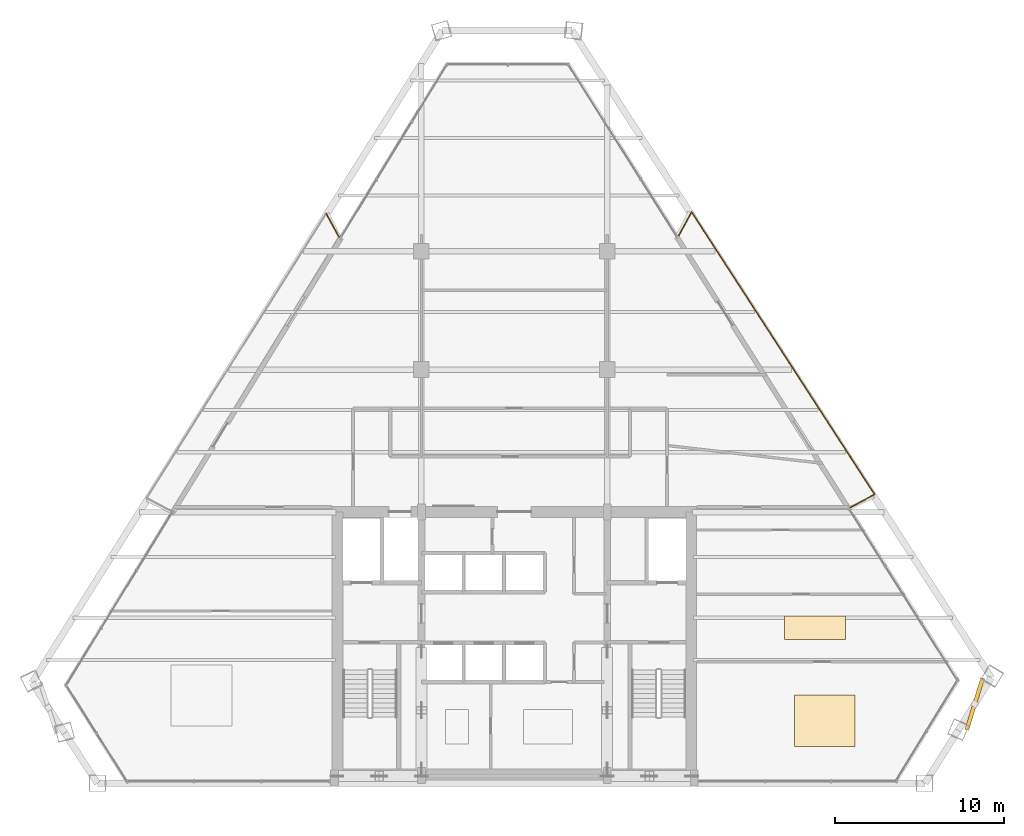
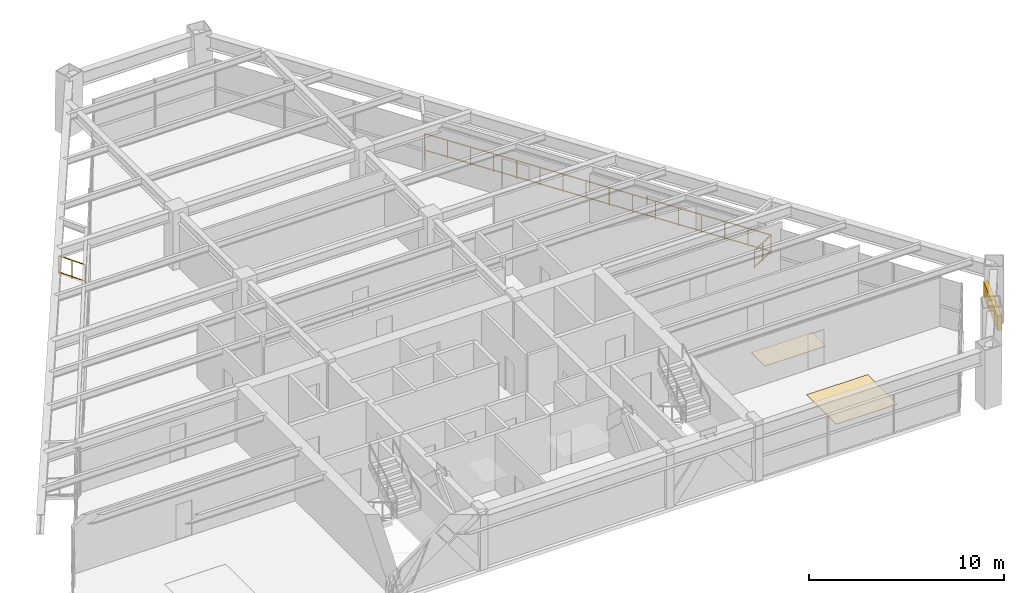
# One storey, part 15 of 15: 4 railings, 2 coverings, 1 shading device.
"""IFC4 building model written with IfcOpenShell, lengths in metres."""

from ifc_helpers import new_model, si_unit, direction, frame, origin, origin_2d, place, context, subcontext, project, spatial, rectangle, extrude, source, transform, mapped, material, layer, layer_set, type_object, type_shapes, element, save


model = new_model("IFC4")

# Units and contexts
model_context = context("Model", 3, precision=1e-05, world=origin(), true_north=direction((0.0, 1.0)))
body_context = subcontext(model_context, "Body", "Model", "MODEL_VIEW")
ifc_project = project(units=[si_unit("LENGTHUNIT", "METRE"), si_unit("AREAUNIT", "SQUARE_METRE"), si_unit("VOLUMEUNIT", "CUBIC_METRE"), si_unit("PLANEANGLEUNIT", "RADIAN"), si_unit("MASSUNIT", "GRAM", prefix="KILO")], contexts=[model_context])

# Site, building, storey
site_placement = place(None, origin())
site = spatial("IfcSite", under=ifc_project, at=site_placement, CompositionType="ELEMENT")
building_placement = place(site_placement, origin())
building = spatial("IfcBuilding", under=site, at=building_placement, Name="Varnakhor Terracotta Tower", CompositionType="ELEMENT")
storey_placement = place(building_placement, frame((0.0, 0.0, 196.89990234375)))
storey = spatial("IfcBuildingStorey", under=building, at=storey_placement, Name="L50", CompositionType="ELEMENT", Elevation=196.89990234375)

# Railings
ifc_material_1 = material(Name="Stainless Steel & Laminated Glass Guardrail", Category="steel")
railing_type = type_object("IfcRailingType", Name="RLG-LOGGIA-GUARD-1150", PredefinedType="GUARDRAIL", material=ifc_material_1)
railing_1_placement = place(storey_placement, frame((9.738525390625, 32.4326171875, 0.0)))
element("IfcRailing", 1, at=railing_1_placement, inside=storey, type_object=railing_type, Name="L50 E Loggia Glass Guard 1", PredefinedType="GUARDRAIL", context=body_context, shape_type="SweptSolid", body=[
    extrude(rectangle(XDim=0.048095703125, YDim=0.048095703125, at=origin_2d()), frame((0.0, 0.0, 1.1259765625), z_axis=(0.481039738759, 0.876698790768, 0.0), x_axis=(-0.876698790768, 0.481039738759, 0.0)), (0.0, 0.0, 1.0), 1.578369140625),
    extrude(rectangle(XDim=0.048095703125, YDim=0.048095703125, at=origin_2d()), frame((0.0, 0.0, 0.10009765625), z_axis=(0.481039738759, 0.876698790768, 0.0), x_axis=(-0.876698790768, 0.481039738759, 0.0)), (0.0, 0.0, 1.0), 1.578369140625),
    extrude(rectangle(XDim=0.0419921875, YDim=0.0419921875, at=origin_2d()), origin(), (0.0, 0.0, 1.0), 1.101806640625),
    extrude(rectangle(XDim=0.0419921875, YDim=0.0419921875, at=origin_2d()), frame((0.379638671875, 0.69189453125, 0.0)), (0.0, 0.0, 1.0), 1.101806640625),
    extrude(rectangle(XDim=0.0419921875, YDim=0.0419921875, at=origin_2d()), frame((0.75927734375, 1.3837890625, 0.0)), (0.0, 0.0, 1.0), 1.101806640625),
])
railing_2_placement = place(storey_placement, frame((10.497802734375, 33.81640625, 0.0)))
element("IfcRailing", 2, at=railing_2_placement, inside=storey, type_object=railing_type, Name="L50 E Loggia Glass Guard 2", PredefinedType="GUARDRAIL", context=body_context, shape_type="SweptSolid", body=[
    extrude(rectangle(XDim=0.048095703125, YDim=0.048095703125, at=origin_2d()), frame((0.0, 0.0, 1.1259765625), z_axis=(0.544143531264, -0.838992143815, 0.0), x_axis=(0.838992143815, 0.544143531264, 0.0)), (0.0, 0.0, 1.0), 19.91552734375),
    extrude(rectangle(XDim=0.048095703125, YDim=0.048095703125, at=origin_2d()), frame((0.0, 0.0, 0.10009765625), z_axis=(0.544143531264, -0.838992143815, 0.0), x_axis=(0.838992143815, 0.544143531264, 0.0)), (0.0, 0.0, 1.0), 19.91552734375),
    extrude(rectangle(XDim=0.0419921875, YDim=0.0419921875, at=origin_2d()), origin(), (0.0, 0.0, 1.0), 1.101806640625),
    extrude(rectangle(XDim=0.0419921875, YDim=0.0419921875, at=origin_2d()), frame((0.722412109375, -1.114013671875, 0.0)), (0.0, 0.0, 1.0), 1.101806640625),
    extrude(rectangle(XDim=0.0419921875, YDim=0.0419921875, at=origin_2d()), frame((1.44482421875, -2.227783203125, 0.0)), (0.0, 0.0, 1.0), 1.101806640625),
    extrude(rectangle(XDim=0.0419921875, YDim=0.0419921875, at=origin_2d()), frame((2.16748046875, -3.341796875, 0.0)), (0.0, 0.0, 1.0), 1.101806640625),
    extrude(rectangle(XDim=0.0419921875, YDim=0.0419921875, at=origin_2d()), frame((2.889892578125, -4.455810546875, 0.0)), (0.0, 0.0, 1.0), 1.101806640625),
    extrude(rectangle(XDim=0.0419921875, YDim=0.0419921875, at=origin_2d()), frame((3.6123046875, -5.569580078125, 0.0)), (0.0, 0.0, 1.0), 1.101806640625),
    extrude(rectangle(XDim=0.0419921875, YDim=0.0419921875, at=origin_2d()), frame((4.334716796875, -6.68359375, 0.0)), (0.0, 0.0, 1.0), 1.101806640625),
    extrude(rectangle(XDim=0.0419921875, YDim=0.0419921875, at=origin_2d()), frame((5.05712890625, -7.797607421875, 0.0)), (0.0, 0.0, 1.0), 1.101806640625),
    extrude(rectangle(XDim=0.0419921875, YDim=0.0419921875, at=origin_2d()), frame((5.77978515625, -8.911376953125, 0.0)), (0.0, 0.0, 1.0), 1.101806640625),
    extrude(rectangle(XDim=0.0419921875, YDim=0.0419921875, at=origin_2d()), frame((6.502197265625, -10.025390625, 0.0)), (0.0, 0.0, 1.0), 1.101806640625),
    extrude(rectangle(XDim=0.0419921875, YDim=0.0419921875, at=origin_2d()), frame((7.224609375, -11.139404296875, 0.0)), (0.0, 0.0, 1.0), 1.101806640625),
    extrude(rectangle(XDim=0.0419921875, YDim=0.0419921875, at=origin_2d()), frame((7.947021484375, -12.253173828125, 0.0)), (0.0, 0.0, 1.0), 1.101806640625),
    extrude(rectangle(XDim=0.0419921875, YDim=0.0419921875, at=origin_2d()), frame((8.66943359375, -13.3671875, 0.0)), (0.0, 0.0, 1.0), 1.101806640625),
    extrude(rectangle(XDim=0.0419921875, YDim=0.0419921875, at=origin_2d()), frame((9.39208984375, -14.481201171875, 0.0)), (0.0, 0.0, 1.0), 1.101806640625),
    extrude(rectangle(XDim=0.0419921875, YDim=0.0419921875, at=origin_2d()), frame((10.114501953125, -15.594970703125, 0.0)), (0.0, 0.0, 1.0), 1.101806640625),
    extrude(rectangle(XDim=0.0419921875, YDim=0.0419921875, at=origin_2d()), frame((10.8369140625, -16.708984375, 0.0)), (0.0, 0.0, 1.0), 1.101806640625),
])
railing_3_placement = place(storey_placement, frame((21.334716796875, 17.107421875, 0.0)))
element("IfcRailing", 3, at=railing_3_placement, inside=storey, type_object=railing_type, Name="L50 E Loggia Glass Guard 3", PredefinedType="GUARDRAIL", context=body_context, shape_type="SweptSolid", body=[
    extrude(rectangle(XDim=0.048095703125, YDim=0.048095703125, at=origin_2d()), frame((0.0, 0.0, 1.1259765625), z_axis=(-0.879189300591, -0.476472636913, 0.0), x_axis=(0.476472636913, -0.879189300591, 0.0)), (0.0, 0.0, 1.0), 1.61865234375),
    extrude(rectangle(XDim=0.048095703125, YDim=0.048095703125, at=origin_2d()), frame((0.0, 0.0, 0.10009765625), z_axis=(-0.879189300591, -0.476472636913, 0.0), x_axis=(0.476472636913, -0.879189300591, 0.0)), (0.0, 0.0, 1.0), 1.61865234375),
    extrude(rectangle(XDim=0.0419921875, YDim=0.0419921875, at=origin_2d()), origin(), (0.0, 0.0, 1.0), 1.101806640625),
    extrude(rectangle(XDim=0.0419921875, YDim=0.0419921875, at=origin_2d()), frame((-0.71142578125, -0.3857421875, 0.0)), (0.0, 0.0, 1.0), 1.101806640625),
    extrude(rectangle(XDim=0.0419921875, YDim=0.0419921875, at=origin_2d()), frame((-1.423095703125, -0.771240234375, 0.0)), (0.0, 0.0, 1.0), 1.101806640625),
])
railing_4_placement = place(storey_placement, frame((-11.14501953125, 33.7333984375, 0.0)))
element("IfcRailing", 4, at=railing_4_placement, inside=storey, type_object=railing_type, Name="L50 W Loggia Glass Guard 3", PredefinedType="GUARDRAIL", context=body_context, shape_type="SweptSolid", body=[
    extrude(rectangle(XDim=0.048095703125, YDim=0.048095703125, at=origin_2d()), frame((0.0, 0.0, 1.1259765625), z_axis=(0.48351126479, -0.875338138562, 0.0), x_axis=(0.875338138562, 0.48351126479, 0.0)), (0.0, 0.0, 1.0), 1.576416015625),
    extrude(rectangle(XDim=0.048095703125, YDim=0.048095703125, at=origin_2d()), frame((0.0, 0.0, 0.10009765625), z_axis=(0.48351126479, -0.875338138562, 0.0), x_axis=(0.875338138562, 0.48351126479, 0.0)), (0.0, 0.0, 1.0), 1.576416015625),
    extrude(rectangle(XDim=0.0419921875, YDim=0.0419921875, at=origin_2d()), origin(), (0.0, 0.0, 1.0), 1.101806640625),
    extrude(rectangle(XDim=0.0419921875, YDim=0.0419921875, at=origin_2d()), frame((0.381103515625, -0.68994140625, 0.0)), (0.0, 0.0, 1.0), 1.101806640625),
    extrude(rectangle(XDim=0.0419921875, YDim=0.0419921875, at=origin_2d()), frame((0.76220703125, -1.3798828125, 0.0)), (0.0, 0.0, 1.0), 1.101806640625),
])

# Shading device
ifc_material_2 = material(Name="Extruded Architectural Terracotta Screen", Category="masonry")
shading_device_type = type_object("IfcShadingDeviceType", Name="TERRACOTTA SOLAR SCREEN E", PredefinedType="USERDEFINED", material=ifc_material_2)
shared_shape_1 = source(origin(), body_context, "Body", "SweptSolid", [
    extrude(rectangle(XDim=3.199951171875, YDim=0.239990234375, at=origin_2d()), origin(), (0.0, 0.0, 1.0), 0.919921875),
])
type_shapes(shading_device_type, [shared_shape_1])
shading_device_placement = place(storey_placement, frame((27.261474609375, 4.69189453125, 1.710205078125), z_axis=(0.0, 0.0, 1.0), x_axis=(0.295141124421, 0.955453670607, 0.0)))
element("IfcShadingDevice", 5, at=shading_device_placement, inside=storey, type_object=shading_device_type, Name="L50 E Terracotta Solar Screen", ObjectType="SCREEN", PredefinedType="USERDEFINED", context=body_context, shape_type="MappedRepresentation", body=[
    mapped(shared_shape_1, transform((0.0, 0.0, 0.0), scale=1.0)),
])

# Coverings
ifc_material_3 = material(Name="Honed Riyadh Limestone Flooring", Category="masonry")
ifc_layer = layer(ifc_material_3, 0.030029296875, Name="Honed Riyadh Limestone Flooring")
ifc_layer_set = layer_set([ifc_layer], Name="Honed Riyadh Limestone Flooring")
covering_type = type_object("IfcCoveringType", Name="COV-FLOOR-LIMESTONE", PredefinedType="FLOORING", material=ifc_layer_set)
shared_shape_2 = source(origin(), body_context, "Body", "SweptSolid", [
    extrude(rectangle(XDim=3.60009765625, YDim=3.049072265625, at=origin_2d()), origin(), (0.0, 0.0, 1.0), 0.02001953125),
])
covering_1_placement = place(storey_placement, frame((18.3798828125, 3.701904296875, 0.0), z_axis=(0.0, 0.0, 1.0), x_axis=(1.0, 0.0, 0.0)))
element("IfcCovering", 6, at=covering_1_placement, inside=storey, type_object=covering_type, Name="L50 Honed Stone Flooring 3", PredefinedType="FLOORING", context=body_context, shape_type="MappedRepresentation", body=[
    mapped(shared_shape_2, transform((0.0, 0.0, 0.0), scale=1.0)),
])
shared_shape_3 = source(origin(), body_context, "Body", "SweptSolid", [
    extrude(rectangle(XDim=3.60009765625, YDim=1.40087890625, at=origin_2d()), origin(), (0.0, 0.0, 1.0), 0.02001953125),
])
covering_2_placement = place(storey_placement, frame((17.798095703125, 9.199951171875, 0.0), z_axis=(0.0, 0.0, 1.0), x_axis=(1.0, 0.0, 0.0)))
element("IfcCovering", 7, at=covering_2_placement, inside=storey, type_object=covering_type, Name="L50 Honed Stone Flooring 5", PredefinedType="FLOORING", context=body_context, shape_type="MappedRepresentation", body=[
    mapped(shared_shape_3, transform((0.0, 0.0, 0.0), scale=1.0)),
])

save(model, "model.ifc")
